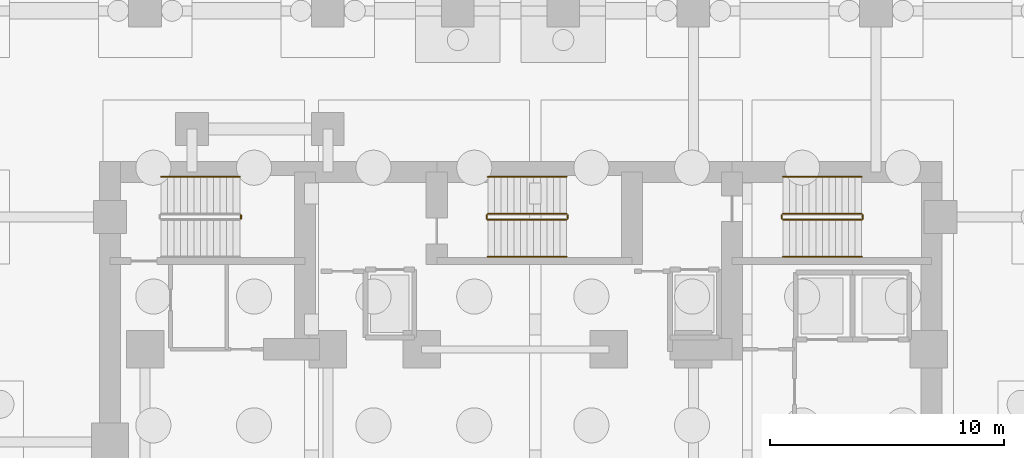
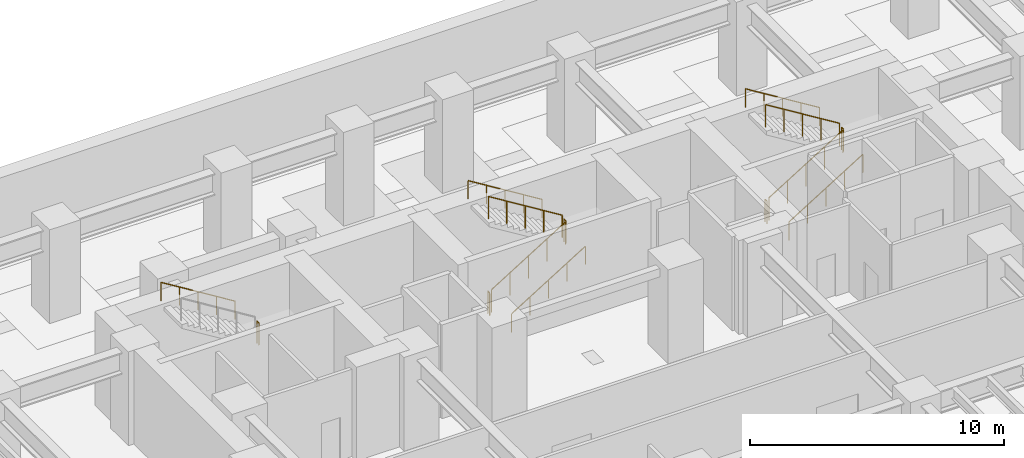
# One storey, part 12 of 13: 14 railings.
"""IFC4 building model written with IfcOpenShell, lengths in metres."""

from ifc_helpers import new_model, si_unit, direction, frame, origin, origin_2d, place, context, subcontext, project, spatial, circle, extrude, material, type_object, element, save


model = new_model("IFC4")

# Units and contexts
model_context = context("Model", 3, precision=1e-05, world=origin(), true_north=direction((0.0, 1.0)))
body_context = subcontext(model_context, "Body", "Model", "MODEL_VIEW")
ifc_project = project(units=[si_unit("LENGTHUNIT", "METRE"), si_unit("AREAUNIT", "SQUARE_METRE"), si_unit("VOLUMEUNIT", "CUBIC_METRE"), si_unit("PLANEANGLEUNIT", "RADIAN"), si_unit("MASSUNIT", "GRAM", prefix="KILO")], contexts=[model_context])

# Site, building, storey
site_placement = place(None, origin())
site = spatial("IfcSite", under=ifc_project, at=site_placement, CompositionType="ELEMENT")
building_placement = place(site_placement, origin())
building = spatial("IfcBuilding", under=site, at=building_placement, Name="Kestravale Grand Hotel", CompositionType="ELEMENT")
storey_placement = place(building_placement, frame((0.0, 0.0, -9.0)))
storey = spatial("IfcBuildingStorey", under=building, at=storey_placement, Name="B2", CompositionType="ELEMENT", Elevation=-9.0)

# Railings
ifc_material_1 = material(Name="Painted tubular steel stair well guard", Category="steel")
railing_type_1 = type_object("IfcRailingType", Name="RL-ST-GRD1100", PredefinedType="GUARDRAIL", material=ifc_material_1)
railing_1_placement = place(storey_placement, frame((27.489990234375, 38.330078125, 2.25)))
element("IfcRailing", 1, at=railing_1_placement, inside=storey, type_object=railing_type_1, Name="B2 ST-1 stair guard 2", PredefinedType="GUARDRAIL", context=body_context, shape_type="SweptSolid", body=[
    extrude(circle(Radius=0.02392578125, at=origin_2d()), frame((0.0, 0.0, 1.076171875), z_axis=(0.0, 1.0, 0.0), x_axis=(-1.0, 0.0, 0.0)), (0.0, 0.0, 1.0), 0.14990234375),
    extrude(circle(Radius=0.02099609375, at=origin_2d()), origin(), (0.0, 0.0, 1.0), 1.052001953125),
    extrude(circle(Radius=0.02099609375, at=origin_2d()), frame((0.0, 0.14990234375, 0.0)), (0.0, 0.0, 1.0), 1.052001953125),
])
railing_2_placement = place(storey_placement, frame((38.030029296875, 38.280029296875, 0.173095703125)))
element("IfcRailing", 2, at=railing_2_placement, inside=storey, type_object=railing_type_1, Name="B2 ST-2 stair guard 1", PredefinedType="GUARDRAIL", context=body_context, shape_type="SweptSolid", body=[
    extrude(circle(Radius=0.02392578125, at=origin_2d()), frame((0.0, 0.0, 1.076171875), z_axis=(0.850606129759, 0.0, 0.525803396734), x_axis=(0.0, 1.0, 0.0)), (0.0, 0.0, 1.0), 3.949951171875),
    extrude(circle(Radius=0.02099609375, at=origin_2d()), origin(), (0.0, 0.0, 1.0), 1.052001953125),
    extrude(circle(Radius=0.02099609375, at=origin_2d()), frame((0.83984375, 0.0, 0.519287109375)), (0.0, 0.0, 1.0), 1.052001953125),
    extrude(circle(Radius=0.02099609375, at=origin_2d()), frame((1.679931640625, 0.0, 1.03857421875)), (0.0, 0.0, 1.0), 1.052001953125),
    extrude(circle(Radius=0.02099609375, at=origin_2d()), frame((2.52001953125, 0.0, 1.5576171875)), (0.0, 0.0, 1.0), 1.052001953125),
    extrude(circle(Radius=0.02099609375, at=origin_2d()), frame((3.35986328125, 0.0, 2.076904296875)), (0.0, 0.0, 1.0), 1.052001953125),
])
railing_3_placement = place(storey_placement, frame((41.43994140625, 38.330078125, 2.25)))
element("IfcRailing", 3, at=railing_3_placement, inside=storey, type_object=railing_type_1, Name="B2 ST-2 stair guard 2", PredefinedType="GUARDRAIL", context=body_context, shape_type="SweptSolid", body=[
    extrude(circle(Radius=0.02392578125, at=origin_2d()), frame((0.0, 0.0, 1.076171875), z_axis=(0.0, 1.0, 0.0), x_axis=(-1.0, 0.0, 0.0)), (0.0, 0.0, 1.0), 0.14990234375),
    extrude(circle(Radius=0.02099609375, at=origin_2d()), origin(), (0.0, 0.0, 1.0), 1.052001953125),
    extrude(circle(Radius=0.02099609375, at=origin_2d()), frame((0.0, 0.14990234375, 0.0)), (0.0, 0.0, 1.0), 1.052001953125),
])
railing_4_placement = place(storey_placement, frame((41.389892578125, 38.530029296875, 2.423095703125)))
element("IfcRailing", 4, at=railing_4_placement, inside=storey, type_object=railing_type_1, Name="B2 ST-2 stair guard 3", PredefinedType="GUARDRAIL", context=body_context, shape_type="SweptSolid", body=[
    extrude(circle(Radius=0.02392578125, at=origin_2d()), frame((0.0, 0.0, 1.076171875), z_axis=(-0.850606129759, 0.0, 0.525803396734), x_axis=(0.0, -1.0, 0.0)), (0.0, 0.0, 1.0), 3.949951171875),
    extrude(circle(Radius=0.02099609375, at=origin_2d()), origin(), (0.0, 0.0, 1.0), 1.052001953125),
    extrude(circle(Radius=0.02099609375, at=origin_2d()), frame((-0.83984375, 0.0, 0.519287109375)), (0.0, 0.0, 1.0), 1.052001953125),
    extrude(circle(Radius=0.02099609375, at=origin_2d()), frame((-1.679931640625, 0.0, 1.03857421875)), (0.0, 0.0, 1.0), 1.052001953125),
    extrude(circle(Radius=0.02099609375, at=origin_2d()), frame((-2.52001953125, 0.0, 1.5576171875)), (0.0, 0.0, 1.0), 1.052001953125),
    extrude(circle(Radius=0.02099609375, at=origin_2d()), frame((-3.35986328125, 0.0, 2.076904296875)), (0.0, 0.0, 1.0), 1.052001953125),
])
railing_5_placement = place(storey_placement, frame((37.97998046875, 38.330078125, 0.0)))
element("IfcRailing", 5, at=railing_5_placement, inside=storey, type_object=railing_type_1, Name="B2 ST-2 stair guard 4", PredefinedType="GUARDRAIL", context=body_context, shape_type="SweptSolid", body=[
    extrude(circle(Radius=0.02392578125, at=origin_2d()), frame((0.0, 0.0, 1.076171875), z_axis=(0.0, 1.0, 0.0), x_axis=(-1.0, 0.0, 0.0)), (0.0, 0.0, 1.0), 0.14990234375),
    extrude(circle(Radius=0.02099609375, at=origin_2d()), origin(), (0.0, 0.0, 1.0), 1.052001953125),
    extrude(circle(Radius=0.02099609375, at=origin_2d()), frame((0.0, 0.14990234375, 0.0)), (0.0, 0.0, 1.0), 1.052001953125),
])
railing_6_placement = place(storey_placement, frame((50.6298828125, 38.280029296875, 0.173095703125)))
element("IfcRailing", 6, at=railing_6_placement, inside=storey, type_object=railing_type_1, Name="B2 ST-3 stair guard 1", PredefinedType="GUARDRAIL", context=body_context, shape_type="SweptSolid", body=[
    extrude(circle(Radius=0.02392578125, at=origin_2d()), frame((0.0, 0.0, 1.076171875), z_axis=(0.850623216509, 0.0, 0.525775754039), x_axis=(0.0, 1.0, 0.0)), (0.0, 0.0, 1.0), 3.9501953125),
    extrude(circle(Radius=0.02099609375, at=origin_2d()), origin(), (0.0, 0.0, 1.0), 1.052001953125),
    extrude(circle(Radius=0.02099609375, at=origin_2d()), frame((0.840087890625, 0.0, 0.519287109375)), (0.0, 0.0, 1.0), 1.052001953125),
    extrude(circle(Radius=0.02099609375, at=origin_2d()), frame((1.68017578125, 0.0, 1.03857421875)), (0.0, 0.0, 1.0), 1.052001953125),
    extrude(circle(Radius=0.02099609375, at=origin_2d()), frame((2.52001953125, 0.0, 1.5576171875)), (0.0, 0.0, 1.0), 1.052001953125),
    extrude(circle(Radius=0.02099609375, at=origin_2d()), frame((3.360107421875, 0.0, 2.076904296875)), (0.0, 0.0, 1.0), 1.052001953125),
])
railing_7_placement = place(storey_placement, frame((54.0400390625, 38.330078125, 2.25)))
element("IfcRailing", 7, at=railing_7_placement, inside=storey, type_object=railing_type_1, Name="B2 ST-3 stair guard 2", PredefinedType="GUARDRAIL", context=body_context, shape_type="SweptSolid", body=[
    extrude(circle(Radius=0.02392578125, at=origin_2d()), frame((0.0, 0.0, 1.076171875), z_axis=(0.0, 1.0, 0.0), x_axis=(-1.0, 0.0, 0.0)), (0.0, 0.0, 1.0), 0.14990234375),
    extrude(circle(Radius=0.02099609375, at=origin_2d()), origin(), (0.0, 0.0, 1.0), 1.052001953125),
    extrude(circle(Radius=0.02099609375, at=origin_2d()), frame((0.0, 0.14990234375, 0.0)), (0.0, 0.0, 1.0), 1.052001953125),
])
railing_8_placement = place(storey_placement, frame((53.989990234375, 38.530029296875, 2.423095703125)))
element("IfcRailing", 8, at=railing_8_placement, inside=storey, type_object=railing_type_1, Name="B2 ST-3 stair guard 3", PredefinedType="GUARDRAIL", context=body_context, shape_type="SweptSolid", body=[
    extrude(circle(Radius=0.02392578125, at=origin_2d()), frame((0.0, 0.0, 1.076171875), z_axis=(-0.850623216509, 0.0, 0.525775754039), x_axis=(0.0, -1.0, 0.0)), (0.0, 0.0, 1.0), 3.9501953125),
    extrude(circle(Radius=0.02099609375, at=origin_2d()), origin(), (0.0, 0.0, 1.0), 1.052001953125),
    extrude(circle(Radius=0.02099609375, at=origin_2d()), frame((-0.840087890625, 0.0, 0.519287109375)), (0.0, 0.0, 1.0), 1.052001953125),
    extrude(circle(Radius=0.02099609375, at=origin_2d()), frame((-1.68017578125, 0.0, 1.03857421875)), (0.0, 0.0, 1.0), 1.052001953125),
    extrude(circle(Radius=0.02099609375, at=origin_2d()), frame((-2.52001953125, 0.0, 1.5576171875)), (0.0, 0.0, 1.0), 1.052001953125),
    extrude(circle(Radius=0.02099609375, at=origin_2d()), frame((-3.360107421875, 0.0, 2.076904296875)), (0.0, 0.0, 1.0), 1.052001953125),
])
railing_9_placement = place(storey_placement, frame((50.580078125, 38.330078125, 0.0)))
element("IfcRailing", 9, at=railing_9_placement, inside=storey, type_object=railing_type_1, Name="B2 ST-3 stair guard 4", PredefinedType="GUARDRAIL", context=body_context, shape_type="SweptSolid", body=[
    extrude(circle(Radius=0.02392578125, at=origin_2d()), frame((0.0, 0.0, 1.076171875), z_axis=(0.0, 1.0, 0.0), x_axis=(-1.0, 0.0, 0.0)), (0.0, 0.0, 1.0), 0.14990234375),
    extrude(circle(Radius=0.02099609375, at=origin_2d()), origin(), (0.0, 0.0, 1.0), 1.052001953125),
    extrude(circle(Radius=0.02099609375, at=origin_2d()), frame((0.0, 0.14990234375, 0.0)), (0.0, 0.0, 1.0), 1.052001953125),
])
ifc_material_2 = material(Name="Brushed stainless steel wall handrail", Category="steel")
railing_type_2 = type_object("IfcRailingType", Name="RL-ST-HND900", PredefinedType="HANDRAIL", material=ifc_material_2)
railing_10_placement = place(storey_placement, frame((27.43994140625, 40.110107421875, 2.423095703125)))
element("IfcRailing", 10, at=railing_10_placement, inside=storey, type_object=railing_type_2, Name="B2 ST-1 stair handrail 2", PredefinedType="HANDRAIL", context=body_context, shape_type="SweptSolid", body=[
    extrude(circle(Radius=0.02392578125, at=origin_2d()), frame((0.0, 0.0, 0.8759765625), z_axis=(-0.850606129759, 0.0, 0.525803396734), x_axis=(0.0, -1.0, 0.0)), (0.0, 0.0, 1.0), 3.949951171875),
    extrude(circle(Radius=0.02099609375, at=origin_2d()), origin(), (0.0, 0.0, 1.0), 0.851806640625),
    extrude(circle(Radius=0.02099609375, at=origin_2d()), frame((-0.83984375, 0.0, 0.519287109375)), (0.0, 0.0, 1.0), 0.851806640625),
    extrude(circle(Radius=0.02099609375, at=origin_2d()), frame((-1.679931640625, 0.0, 1.03857421875)), (0.0, 0.0, 1.0), 0.851806640625),
    extrude(circle(Radius=0.02099609375, at=origin_2d()), frame((-2.52001953125, 0.0, 1.5576171875)), (0.0, 0.0, 1.0), 0.851806640625),
    extrude(circle(Radius=0.02099609375, at=origin_2d()), frame((-3.35986328125, 0.0, 2.076904296875)), (0.0, 0.0, 1.0), 0.851806640625),
])
railing_11_placement = place(storey_placement, frame((38.030029296875, 36.699951171875, 0.173095703125)))
element("IfcRailing", 11, at=railing_11_placement, inside=storey, type_object=railing_type_2, Name="B2 ST-2 stair handrail 1", PredefinedType="HANDRAIL", context=body_context, shape_type="SweptSolid", body=[
    extrude(circle(Radius=0.02392578125, at=origin_2d()), frame((0.0, 0.0, 0.8759765625), z_axis=(0.850606129759, 0.0, 0.525803396734), x_axis=(0.0, 1.0, 0.0)), (0.0, 0.0, 1.0), 3.949951171875),
    extrude(circle(Radius=0.02099609375, at=origin_2d()), origin(), (0.0, 0.0, 1.0), 0.851806640625),
    extrude(circle(Radius=0.02099609375, at=origin_2d()), frame((0.83984375, 0.0, 0.519287109375)), (0.0, 0.0, 1.0), 0.851806640625),
    extrude(circle(Radius=0.02099609375, at=origin_2d()), frame((1.679931640625, 0.0, 1.03857421875)), (0.0, 0.0, 1.0), 0.851806640625),
    extrude(circle(Radius=0.02099609375, at=origin_2d()), frame((2.52001953125, 0.0, 1.5576171875)), (0.0, 0.0, 1.0), 0.851806640625),
    extrude(circle(Radius=0.02099609375, at=origin_2d()), frame((3.35986328125, 0.0, 2.076904296875)), (0.0, 0.0, 1.0), 0.851806640625),
])
railing_12_placement = place(storey_placement, frame((41.389892578125, 40.110107421875, 2.423095703125)))
element("IfcRailing", 12, at=railing_12_placement, inside=storey, type_object=railing_type_2, Name="B2 ST-2 stair handrail 2", PredefinedType="HANDRAIL", context=body_context, shape_type="SweptSolid", body=[
    extrude(circle(Radius=0.02392578125, at=origin_2d()), frame((0.0, 0.0, 0.8759765625), z_axis=(-0.850606129759, 0.0, 0.525803396734), x_axis=(0.0, -1.0, 0.0)), (0.0, 0.0, 1.0), 3.949951171875),
    extrude(circle(Radius=0.02099609375, at=origin_2d()), origin(), (0.0, 0.0, 1.0), 0.851806640625),
    extrude(circle(Radius=0.02099609375, at=origin_2d()), frame((-0.83984375, 0.0, 0.519287109375)), (0.0, 0.0, 1.0), 0.851806640625),
    extrude(circle(Radius=0.02099609375, at=origin_2d()), frame((-1.679931640625, 0.0, 1.03857421875)), (0.0, 0.0, 1.0), 0.851806640625),
    extrude(circle(Radius=0.02099609375, at=origin_2d()), frame((-2.52001953125, 0.0, 1.5576171875)), (0.0, 0.0, 1.0), 0.851806640625),
    extrude(circle(Radius=0.02099609375, at=origin_2d()), frame((-3.35986328125, 0.0, 2.076904296875)), (0.0, 0.0, 1.0), 0.851806640625),
])
railing_13_placement = place(storey_placement, frame((50.6298828125, 36.699951171875, 0.173095703125)))
element("IfcRailing", 13, at=railing_13_placement, inside=storey, type_object=railing_type_2, Name="B2 ST-3 stair handrail 1", PredefinedType="HANDRAIL", context=body_context, shape_type="SweptSolid", body=[
    extrude(circle(Radius=0.02392578125, at=origin_2d()), frame((0.0, 0.0, 0.8759765625), z_axis=(0.850623216509, 0.0, 0.525775754039), x_axis=(0.0, 1.0, 0.0)), (0.0, 0.0, 1.0), 3.9501953125),
    extrude(circle(Radius=0.02099609375, at=origin_2d()), origin(), (0.0, 0.0, 1.0), 0.851806640625),
    extrude(circle(Radius=0.02099609375, at=origin_2d()), frame((0.840087890625, 0.0, 0.519287109375)), (0.0, 0.0, 1.0), 0.851806640625),
    extrude(circle(Radius=0.02099609375, at=origin_2d()), frame((1.68017578125, 0.0, 1.03857421875)), (0.0, 0.0, 1.0), 0.851806640625),
    extrude(circle(Radius=0.02099609375, at=origin_2d()), frame((2.52001953125, 0.0, 1.5576171875)), (0.0, 0.0, 1.0), 0.851806640625),
    extrude(circle(Radius=0.02099609375, at=origin_2d()), frame((3.360107421875, 0.0, 2.076904296875)), (0.0, 0.0, 1.0), 0.851806640625),
])
railing_14_placement = place(storey_placement, frame((53.989990234375, 40.110107421875, 2.423095703125)))
element("IfcRailing", 14, at=railing_14_placement, inside=storey, type_object=railing_type_2, Name="B2 ST-3 stair handrail 2", PredefinedType="HANDRAIL", context=body_context, shape_type="SweptSolid", body=[
    extrude(circle(Radius=0.02392578125, at=origin_2d()), frame((0.0, 0.0, 0.8759765625), z_axis=(-0.850623216509, 0.0, 0.525775754039), x_axis=(0.0, -1.0, 0.0)), (0.0, 0.0, 1.0), 3.9501953125),
    extrude(circle(Radius=0.02099609375, at=origin_2d()), origin(), (0.0, 0.0, 1.0), 0.851806640625),
    extrude(circle(Radius=0.02099609375, at=origin_2d()), frame((-0.840087890625, 0.0, 0.519287109375)), (0.0, 0.0, 1.0), 0.851806640625),
    extrude(circle(Radius=0.02099609375, at=origin_2d()), frame((-1.68017578125, 0.0, 1.03857421875)), (0.0, 0.0, 1.0), 0.851806640625),
    extrude(circle(Radius=0.02099609375, at=origin_2d()), frame((-2.52001953125, 0.0, 1.5576171875)), (0.0, 0.0, 1.0), 0.851806640625),
    extrude(circle(Radius=0.02099609375, at=origin_2d()), frame((-3.360107421875, 0.0, 2.076904296875)), (0.0, 0.0, 1.0), 0.851806640625),
])

save(model, "model.ifc")
